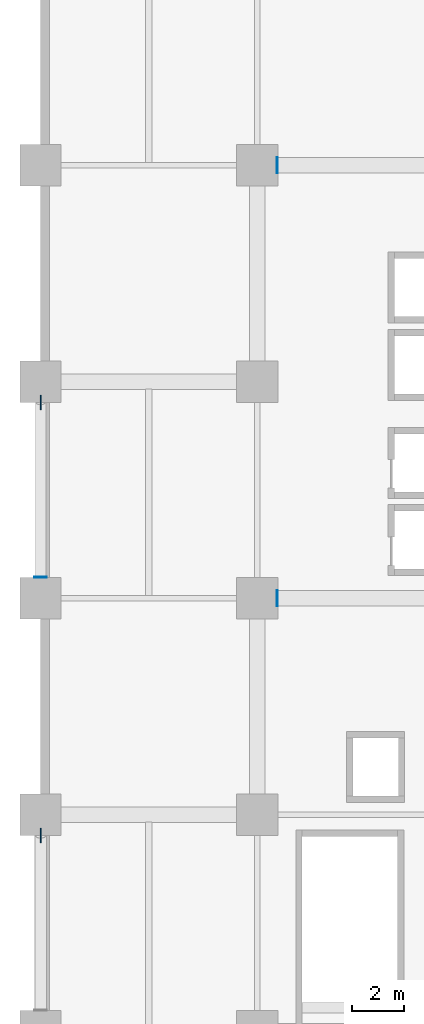
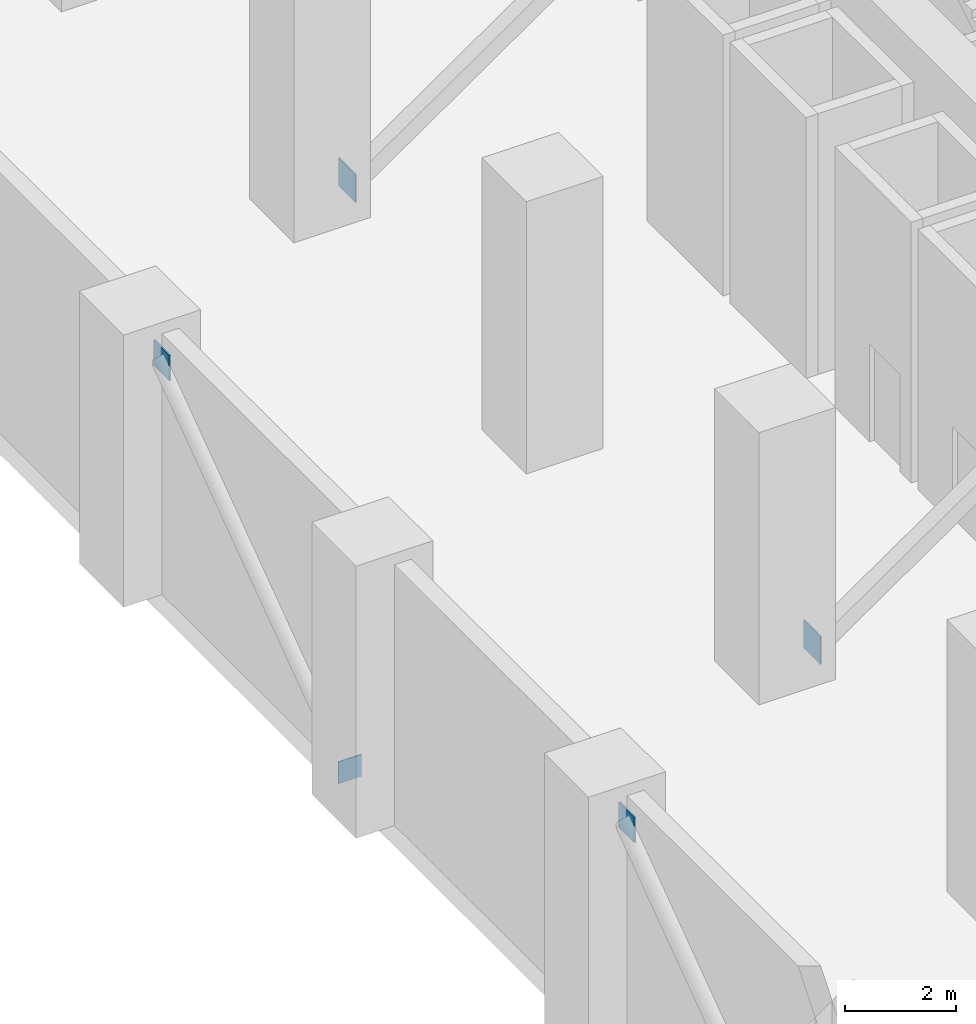
# One storey, part 8 of 20: 5 plates.
"""IFC4 building model written with IfcOpenShell, lengths in metres."""

from ifc_helpers import new_model, si_unit, direction, frame, origin, origin_2d, place, context, subcontext, project, spatial, rectangle, extrude, material, layer, layer_set, type_object, element, save


model = new_model("IFC4")

# Units and contexts
model_context = context("Model", 3, precision=1e-05, world=origin(), true_north=direction((0.0, 1.0)))
body_context = subcontext(model_context, "Body", "Model", "MODEL_VIEW")
ifc_project = project(units=[si_unit("LENGTHUNIT", "METRE"), si_unit("AREAUNIT", "SQUARE_METRE"), si_unit("VOLUMEUNIT", "CUBIC_METRE"), si_unit("PLANEANGLEUNIT", "RADIAN"), si_unit("MASSUNIT", "GRAM", prefix="KILO")], contexts=[model_context])

# Site, building, storey
site_placement = place(None, origin())
site = spatial("IfcSite", under=ifc_project, at=site_placement, CompositionType="ELEMENT")
building_placement = place(site_placement, origin())
building = spatial("IfcBuilding", under=site, at=building_placement, Name="Koriwani Terraces Tower", CompositionType="ELEMENT")
storey_placement = place(building_placement, frame((0.0, 0.0, 26.0)))
storey = spatial("IfcBuildingStorey", under=building, at=storey_placement, Name="L05", CompositionType="ELEMENT", Elevation=26.0)

# Plates
ifc_material = material(Name="Steel ASTM A572 Grade 50", Category="steel")
ifc_layer_1 = layer(ifc_material, 0.02490234375, Name="Steel ASTM A572 Grade 50")
ifc_layer_set_1 = layer_set([ifc_layer_1], Name="Steel ASTM A572 Grade 50")
plate_type_1 = type_object("IfcPlateType", Name="STEEL_CAP_PLATE_25", PredefinedType="USERDEFINED", material=ifc_layer_set_1)
for number, where, z_axis, x_axis, name in (
    (1, (9.179931640625, 42.0, 0.0400390625), (0.0, 0.0, 1.0), (1.0, 0.0, 0.0), "Outrigger truss hollow end cap plate L05-OW-W1"),
    (2, (9.179931640625, 58.800048828125, 0.0400390625), (0.0, 0.0, 1.0), (1.0, 0.0, 0.0), "Outrigger truss hollow end cap plate L05-OW-W2"),
):
    element("IfcPlate", number, at=place(storey_placement, frame(where, z_axis=z_axis, x_axis=x_axis)), inside=storey, type_object=plate_type_1, Name=name, ObjectType="FLANGE_PLATE", PredefinedType="USERDEFINED", context=body_context, shape_type="SweptSolid", body=[
        extrude(rectangle(XDim=0.02490234375, YDim=0.6201171875, at=origin_2d()), origin(), (0.0, 0.0, 1.0), 0.6201171875),
    ])
plate_placement = place(storey_placement, frame((0.0, 42.8125, 0.033447265625), z_axis=(0.0, 0.0, 1.0), x_axis=(0.0, 1.0, 0.0)))
element("IfcPlate", 3, at=plate_placement, inside=storey, type_object=plate_type_1, Name="Brace End Cap Plate BT-L05-BW3", ObjectType="FLANGE_PLATE", PredefinedType="USERDEFINED", context=body_context, shape_type="SweptSolid", body=[
    extrude(rectangle(XDim=0.02490234375, YDim=0.47998046875, at=origin_2d()), origin(), (0.0, 0.0, 1.0), 0.47998046875),
])
ifc_layer_2 = layer(ifc_material, 0.0400390625, Name="Steel ASTM A572 Grade 50")
ifc_layer_set_2 = layer_set([ifc_layer_2], Name="Steel ASTM A572 Grade 50")
plate_type_2 = type_object("IfcPlateType", Name="STEEL_GUSSET_PLATE_40", PredefinedType="USERDEFINED", material=ifc_layer_set_2)
for number, where, z_axis, x_axis, name in (
    (4, (0.0, 32.78759765625, 4.896484375), (0.0, 0.0, 1.0), (0.0, 1.0, 0.0), "Brace Node Gusset Plate BT-L05-BW2"),
    (5, (0.0, 49.587646484375, 4.896484375), (0.0, 0.0, 1.0), (0.0, 1.0, 0.0), "Brace Node Gusset Plate BT-L05-BW3"),
):
    element("IfcPlate", number, at=place(storey_placement, frame(where, z_axis=z_axis, x_axis=x_axis)), inside=storey, type_object=plate_type_2, Name=name, ObjectType="GUSSET_PLATE", PredefinedType="USERDEFINED", context=body_context, shape_type="SweptSolid", body=[
        extrude(rectangle(XDim=0.56005859375, YDim=0.0400390625, at=origin_2d()), origin(), (0.0, 0.0, 1.0), 0.56005859375),
    ])

save(model, "model.ifc")
